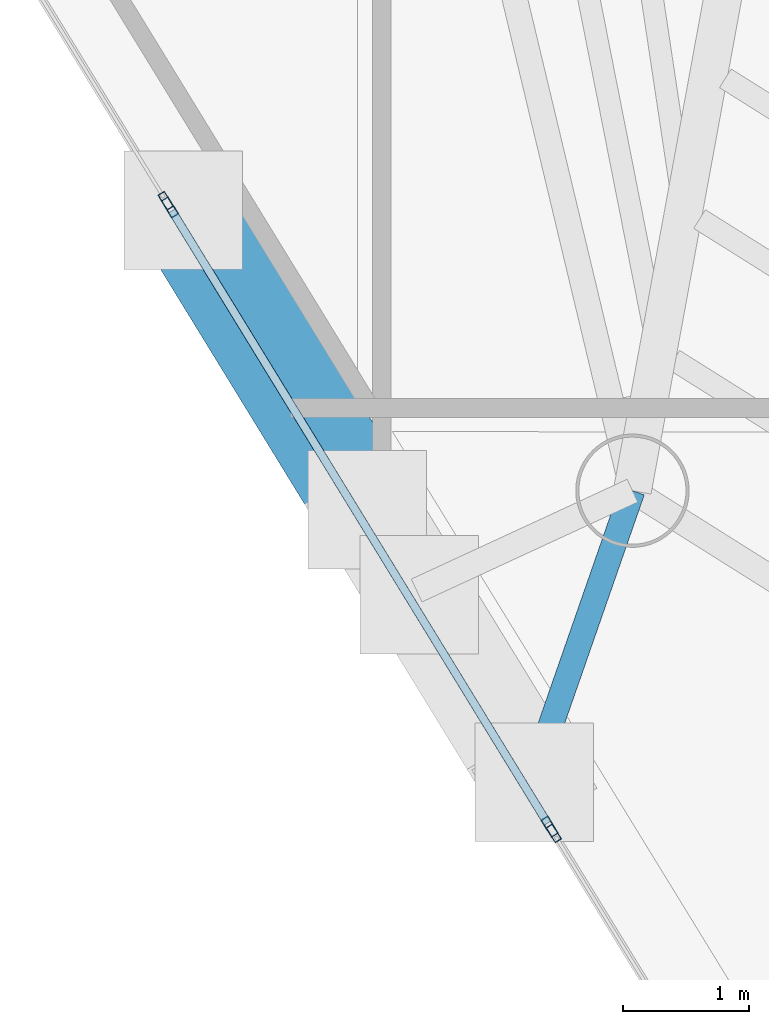
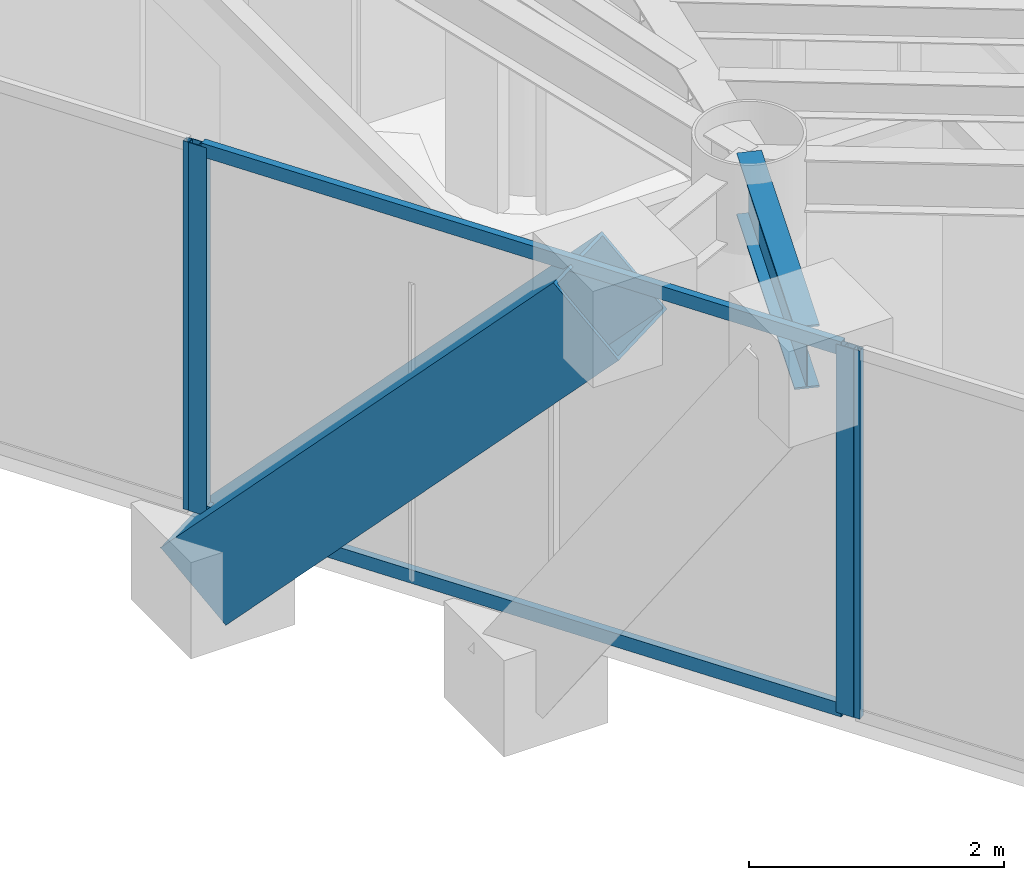
# One storey, part 3 of 23: 7 members, 1 beam, 3 elements without a shape of their own.
"""IFC4 building model written with IfcOpenShell, lengths in metres."""

import ifcopenshell
import ifcopenshell.guid

model = None  # the IFC model being written
_history = None  # IfcOwnerHistory: only IFC2X3 demands one
_inside = {}  # id of a spatial element -> (the spatial element, [elements in it])
_under = {}  # id of a project, library or spatial element -> (it, [spatial elements below it])
_declared = {}  # id of a project -> (the project, [libraries it declares])
_typed = {}  # id of a type object -> (the type object, [elements of that type])
_made_of = {}  # id of a material, layer set ... -> (it, [elements and type objects made of it])


def new_model(schema):
    """Start an empty IFC model of exactly this schema.

    Asked for "IFC4X3", IfcOpenShell would pick the latest addendum, in which some entities
    have other attributes; the version numbers below select the first issue.
    IFC2X3 requires an IfcOwnerHistory on every rooted entity: one is made here for all.
    """
    global model, _history
    if schema == "IFC4X3":
        model = ifcopenshell.file(schema_version=(4, 3, 0, 0))
    else:
        model = ifcopenshell.file(schema=schema)
    _inside.clear()
    _under.clear()
    _declared.clear()
    _typed.clear()
    _made_of.clear()
    _history = None
    if model.schema == "IFC2X3":
        org = make("IfcOrganization", Name="unknown")
        user = make(
            "IfcPersonAndOrganization",
            ThePerson=make("IfcPerson", FamilyName="unknown"),
            TheOrganization=org,
        )
        app = make(
            "IfcApplication",
            ApplicationDeveloper=org,
            Version="unknown",
            ApplicationFullName="unknown",
            ApplicationIdentifier="unknown",
        )
        _history = make(
            "IfcOwnerHistory",
            OwningUser=user,
            OwningApplication=app,
            ChangeAction="ADDED",
            CreationDate=0,
        )
    return model


def make(cls, **values):
    """One entity of the class cls with the attributes given. An attribute that is None is left unset."""
    return model.create_entity(
        cls, **{name: value for name, value in values.items() if value is not None}
    )


def rooted(cls, **values):
    """An entity with a GlobalId (a new one), such as an element, a storey or a relation."""
    return make(cls, GlobalId=ifcopenshell.guid.new(), OwnerHistory=_history, **values)


def si_unit(unit_type, name, prefix=None):
    """IfcSIUnit, for example si_unit("LENGTHUNIT", "METRE", prefix="MILLI")."""
    return make("IfcSIUnit", UnitType=unit_type, Prefix=prefix, Name=name)


def assignment(units):
    """IfcUnitAssignment: the units of a project."""
    return None if units is None else make("IfcUnitAssignment", Units=units)


def point(xyz):
    """IfcCartesianPoint."""
    return None if xyz is None else make("IfcCartesianPoint", Coordinates=xyz)


def direction(xyz):
    """IfcDirection."""
    return None if xyz is None else make("IfcDirection", DirectionRatios=xyz)


def frame(location, z_axis=None, x_axis=None):
    """IfcAxis2Placement3D, a coordinate frame: its origin and axes. An axis left out is left unset."""
    return make(
        "IfcAxis2Placement3D",
        Location=point(location),
        Axis=direction(z_axis),
        RefDirection=direction(x_axis),
    )


def frame_2d(location, x_axis=None):
    """IfcAxis2Placement2D, a coordinate frame in the plane: its origin and x axis."""
    return make(
        "IfcAxis2Placement2D", Location=point(location), RefDirection=direction(x_axis)
    )


def origin():
    """The frame at (0, 0, 0) with its axes left unset."""
    return frame((0.0, 0.0, 0.0))


def origin_2d():
    """The frame at (0, 0) in the plane with its x axis left unset."""
    return frame_2d((0.0, 0.0))


def place(relative_to, where):
    """IfcLocalPlacement: puts the frame where relative to a parent placement (None: the world)."""
    return make(
        "IfcLocalPlacement", PlacementRelTo=relative_to, RelativePlacement=where
    )


def context(
    kind, dimensions, precision=None, world=None, true_north=None, identifier=None
):
    """IfcGeometricRepresentationContext, for example the 3D "Model" context."""
    return make(
        "IfcGeometricRepresentationContext",
        ContextIdentifier=identifier,
        ContextType=kind,
        CoordinateSpaceDimension=dimensions,
        Precision=precision,
        WorldCoordinateSystem=world,
        TrueNorth=true_north,
    )


def subcontext(parent, identifier, kind, view, scale=None):
    """IfcGeometricRepresentationSubContext, for example "Body" below "Model"."""
    return make(
        "IfcGeometricRepresentationSubContext",
        ContextIdentifier=identifier,
        ContextType=kind,
        ParentContext=parent,
        TargetScale=scale,
        TargetView=view,
    )


def project(units=None, contexts=None):
    """IfcProject with its units and contexts."""
    return rooted(
        "IfcProject",
        Name="project",
        RepresentationContexts=contexts,
        UnitsInContext=assignment(units),
    )


def spatial(cls, under=None, at=None, **own):
    """A site, building, storey or space (cls), placed at a placement, below another one or the project."""
    s = rooted(cls, ObjectPlacement=at, **own)
    if under is not None:
        _under.setdefault(under.id(), (under, []))[1].append(s)
    return s


def profile(cls, at=None, kind="AREA", **sizes):
    """A parametric profile (cls). Its sizes go by their IFC names, for example OverallWidth=200.0."""
    return make(cls, ProfileType=kind, Position=at, **sizes)


def hollow_rectangle(**sizes):
    """IfcRectangleHollowProfileDef."""
    return profile("IfcRectangleHollowProfileDef", **sizes)


def i_section(**sizes):
    """IfcIShapeProfileDef."""
    return profile("IfcIShapeProfileDef", **sizes)


def extrude(swept, where, along, depth):
    """IfcExtrudedAreaSolid: the profile swept, set in the frame where, extruded along a direction by depth."""
    return make(
        "IfcExtrudedAreaSolid",
        SweptArea=swept,
        Position=where,
        ExtrudedDirection=direction(along),
        Depth=depth,
    )


def shape(context_of_items, identifier, shape_type, items):
    """IfcShapeRepresentation: the items that make up one representation, for example the "Body"."""
    return make(
        "IfcShapeRepresentation",
        ContextOfItems=context_of_items,
        RepresentationIdentifier=identifier,
        RepresentationType=shape_type,
        Items=items,
    )


def material(Name=None, Category=None):
    """IfcMaterial."""
    return make("IfcMaterial", Name=Name, Category=Category)


def layer(
    of_material, thickness, ventilated=None, Name=None, Category=None, Priority=None
):
    """IfcMaterialLayer: one layer of a wall or slab, of a material (None: an air gap)."""
    return make(
        "IfcMaterialLayer",
        Material=of_material,
        LayerThickness=thickness,
        IsVentilated=ventilated,
        Name=Name,
        Category=Category,
        Priority=Priority,
    )


def layer_set(layers, Name=None):
    """IfcMaterialLayerSet."""
    return make("IfcMaterialLayerSet", MaterialLayers=layers, LayerSetName=Name)


def material_profile(
    of_material, cross_section, Name=None, Category=None, Priority=None
):
    """IfcMaterialProfile: a cross section and its material."""
    return make(
        "IfcMaterialProfile",
        Name=Name,
        Material=of_material,
        Profile=cross_section,
        Priority=Priority,
        Category=Category,
    )


def profile_set(profiles, Name=None, composite=None):
    """IfcMaterialProfileSet."""
    return make(
        "IfcMaterialProfileSet",
        Name=Name,
        MaterialProfiles=profiles,
        CompositeProfile=composite,
    )


def made_of(thing, what):
    """Note that an element or type object is made of a material, layer set ...; save() writes the relation."""
    if what is not None:
        _made_of.setdefault(what.id(), (what, []))[1].append(thing)
    return thing


def type_object(cls, material=None, **own):
    """A type object (cls), such as IfcWallType, which elements share."""
    return made_of(rooted(cls, **own), material)


def element(
    cls,
    number,
    at=None,
    inside=None,
    cuts=None,
    type_object=None,
    material=None,
    context=None,
    identifier="Body",
    shape_type=None,
    held_by="IfcProductDefinitionShape",
    body=None,
    shapes=None,
    **own,
):
    """One element of the class cls, such as IfcWall. Its Tag is "e" and its number.

    at: its placement. inside: the storey or other place that contains it. cuts: it is an
    opening in that element (IfcRelVoidsElement). A single representation is given by context,
    identifier, shape_type and body (its items); several are given by shapes. held_by: the class
    of the entity that holds the representations. save() writes the other relations.
    """
    e = rooted(cls, Tag="e%d" % number, ObjectPlacement=at, **own)
    if body is not None:
        shapes = [shape(context, identifier, shape_type, body)]
    if shapes is not None:
        e.Representation = make(held_by, Representations=shapes)
    if inside is not None:
        _inside.setdefault(inside.id(), (inside, []))[1].append(e)
    if cuts is not None:
        rooted(
            "IfcRelVoidsElement", RelatingBuildingElement=cuts, RelatedOpeningElement=e
        )
    if type_object is not None:
        _typed.setdefault(type_object.id(), (type_object, []))[1].append(e)
    return made_of(e, material)


def aggregate(whole, parts):
    """IfcRelAggregates: a whole, such as a stair, and the parts it consists of."""
    return rooted("IfcRelAggregates", RelatingObject=whole, RelatedObjects=parts)


def save(model, path):
    """Write the relations noted so far, then the file.

    IfcRelAggregates (storeys below a building ...), IfcRelContainedInSpatialStructure (elements
    in a storey), IfcRelDefinesByType, IfcRelAssociatesMaterial and IfcRelDeclares: one each for
    every whole, place, type object, material and project.
    """
    for whole, parts in _under.values():
        aggregate(whole, parts)
    for where, things in _inside.values():
        rooted(
            "IfcRelContainedInSpatialStructure",
            RelatedElements=things,
            RelatingStructure=where,
        )
    for kind, things in _typed.values():
        rooted("IfcRelDefinesByType", RelatedObjects=things, RelatingType=kind)
    for what, things in _made_of.values():
        rooted("IfcRelAssociatesMaterial", RelatedObjects=things, RelatingMaterial=what)
    for by, libraries in _declared.values():
        rooted("IfcRelDeclares", RelatingContext=by, RelatedDefinitions=libraries)
    model.write(path)


model = new_model("IFC4")

# Units and contexts
model_context = context("Model", 3, precision=1e-05, world=origin(), true_north=direction((0.0, 1.0)))
body_context = subcontext(model_context, "Body", "Model", "MODEL_VIEW")
ifc_project = project(units=[si_unit("LENGTHUNIT", "METRE"), si_unit("AREAUNIT", "SQUARE_METRE"), si_unit("VOLUMEUNIT", "CUBIC_METRE"), si_unit("PLANEANGLEUNIT", "RADIAN"), si_unit("MASSUNIT", "GRAM", prefix="KILO")], contexts=[model_context])

# Site, building, storey
site_placement = place(None, origin())
site = spatial("IfcSite", under=ifc_project, at=site_placement, CompositionType="ELEMENT")
building_placement = place(site_placement, origin())
building = spatial("IfcBuilding", under=site, at=building_placement, Name="Qianvela Tower", CompositionType="ELEMENT")
storey_placement = place(building_placement, frame((0.0, 0.0, 284.300048828125)))
storey = spatial("IfcBuildingStorey", under=building, at=storey_placement, Name="L73", CompositionType="ELEMENT", Elevation=284.300048828125)

# Beam
ifc_material_1 = material(Name="Steel Q355B", Category="steel")
ifc_material_profile_1 = material_profile(ifc_material_1, i_section(OverallWidth=0.199951171875, OverallDepth=0.60009765625, WebThickness=0.010986328125, FlangeThickness=0.01708984375, at=origin_2d()), Name="HN600x200x11x17")
ifc_profile_set_1 = profile_set([ifc_material_profile_1], Name="Steel Q355B")
beam_type = type_object("IfcBeamType", Name="BM-HN600-GIRD", PredefinedType="BEAM", material=ifc_profile_set_1)
beam_placement = place(storey_placement, frame((27.669921875, 18.77392578125, 3.218017578125), z_axis=(-0.328966496784, -0.944341592854, 0.0), x_axis=(0.944341592854, -0.328966496784, 0.0)))
element("IfcBeam", 1, at=beam_placement, inside=storey, type_object=beam_type, Name="L73 Mega-Brace Column Tie Bracket F2-2", PredefinedType="BEAM", context=body_context, shape_type="SweptSolid", body=[
    extrude(i_section(OverallWidth=0.199951171875, OverallDepth=0.60009765625, WebThickness=0.010986328125, FlangeThickness=0.01708984375, at=origin_2d()), origin(), (0.0, 0.0, 1.0), 2.4208984375),
])

# Curtain wall, members
ifc_material_2 = material(Name="Anodised Architectural Aluminium and Insulated Spandrel Panel", Category="aluminium")
ifc_layer_1 = layer(ifc_material_2, 0.179931640625)
ifc_layer_set_1 = layer_set([ifc_layer_1], Name="Anodised Architectural Aluminium and Insulated Spandrel Panel")
curtain_wall_type_1 = type_object("IfcCurtainWallType", Name="CW-BRACEBAY", PredefinedType="USERDEFINED", material=ifc_layer_set_1)
curtain_wall_1_placement = place(storey_placement, origin())
curtain_wall_1 = element("IfcCurtainWall", 2, at=curtain_wall_1_placement, inside=storey, type_object=curtain_wall_type_1, Name="L73 CW-BRACEBAY Curtain Wall 04B", ObjectType="CURTAIN_WALL_SYSTEM", PredefinedType="USERDEFINED")
ifc_material_3 = material(Name="Anodised Architectural Aluminium 6063-T6", Category="aluminium")
ifc_material_profile_2 = material_profile(ifc_material_3, hollow_rectangle(XDim=0.06494140625, YDim=0.159912109375, WallThickness=0.0048828125, at=origin_2d()), Name="ALU-MULL-65x160")
ifc_profile_set_2 = profile_set([ifc_material_profile_2], Name="Anodised Architectural Aluminium 6063-T6")
member_type_1 = type_object("IfcMemberType", Name="CW-BRACEBAY-MULL", PredefinedType="MULLION", material=ifc_profile_set_2)
member_1_placement = place(storey_placement, frame((23.9990234375, 21.022216796875, 0.0), z_axis=(0.0, 0.0, 1.0), x_axis=(0.852461199425, 0.522790496733, 0.0)))
member_1 = element("IfcMember", 3, at=member_1_placement, type_object=member_type_1, Name="CW-9 mullion 1", PredefinedType="MULLION", context=body_context, shape_type="SweptSolid", body=[
    extrude(hollow_rectangle(XDim=0.06494140625, YDim=0.159912109375, WallThickness=0.0048828125, at=origin_2d()), origin(), (0.0, 0.0, 1.0), 3.52001953125),
])
member_2_placement = place(storey_placement, frame((27.012939453125, 16.107666015625, 0.0), z_axis=(0.0, 0.0, 1.0), x_axis=(0.852461199425, 0.522790496733, 0.0)))
member_2 = element("IfcMember", 4, at=member_2_placement, type_object=member_type_1, Name="CW-9 mullion 2", PredefinedType="MULLION", context=body_context, shape_type="SweptSolid", body=[
    extrude(hollow_rectangle(XDim=0.06494140625, YDim=0.159912109375, WallThickness=0.0048828125, at=origin_2d()), origin(), (0.0, 0.0, 1.0), 3.52001953125),
])
ifc_material_4 = material(Name="Anodised Architectural Aluminium 6063-T6", Category="aluminium")
ifc_material_profile_3 = material_profile(ifc_material_4, hollow_rectangle(XDim=0.06494140625, YDim=0.1298828125, WallThickness=0.00439453125, at=origin_2d()), Name="ALU-TRAN-65x130")
ifc_profile_set_3 = profile_set([ifc_material_profile_3], Name="Anodised Architectural Aluminium 6063-T6")
member_type_2 = type_object("IfcMemberType", Name="CW-BRACEBAY-TRAN", PredefinedType="USERDEFINED", material=ifc_profile_set_3)
member_3_placement = place(storey_placement, frame((24.015869140625, 20.994384765625, 0.032470703125), z_axis=(0.522792035464, -0.852460255763, 0.0), x_axis=(0.852460255763, 0.522792035464, 0.0)))
member_3 = element("IfcMember", 5, at=member_3_placement, type_object=member_type_2, Name="CW-9 transom 1.1", ObjectType="TRANSOM", PredefinedType="USERDEFINED", context=body_context, shape_type="SweptSolid", body=[
    extrude(hollow_rectangle(XDim=0.06494140625, YDim=0.1298828125, WallThickness=0.00439453125, at=origin_2d()), origin(), (0.0, 0.0, 1.0), 5.7001953125),
])
member_4_placement = place(storey_placement, frame((24.015869140625, 20.994384765625, 3.487548828125), z_axis=(0.522792035464, -0.852460255763, 0.0), x_axis=(0.852460255763, 0.522792035464, 0.0)))
member_4 = element("IfcMember", 6, at=member_4_placement, type_object=member_type_2, Name="CW-9 transom 1.2", ObjectType="TRANSOM", PredefinedType="USERDEFINED", context=body_context, shape_type="SweptSolid", body=[
    extrude(hollow_rectangle(XDim=0.06494140625, YDim=0.1298828125, WallThickness=0.00439453125, at=origin_2d()), origin(), (0.0, 0.0, 1.0), 5.7001953125),
])
aggregate(curtain_wall_1, [member_1, member_2, member_3, member_4])

# Curtain wall, member
ifc_material_5 = material(Name="Anodised Architectural Aluminium and Low-E Glass", Category="aluminium")
ifc_layer_2 = layer(ifc_material_5, 0.14990234375)
ifc_layer_set_2 = layer_set([ifc_layer_2], Name="Anodised Architectural Aluminium and Low-E Glass")
curtain_wall_type_2 = type_object("IfcCurtainWallType", Name="CW-COLIV-Z78", PredefinedType="USERDEFINED", material=ifc_layer_set_2)
curtain_wall_2_placement = place(storey_placement, origin())
curtain_wall_2 = element("IfcCurtainWall", 7, at=curtain_wall_2_placement, inside=storey, type_object=curtain_wall_type_2, Name="L73 CW-COLIV-Z78 Curtain Wall 04A", ObjectType="CURTAIN_WALL_SYSTEM", PredefinedType="USERDEFINED")
ifc_material_6 = material(Name="Anodised Architectural Aluminium 6063-T6", Category="aluminium")
ifc_material_profile_4 = material_profile(ifc_material_6, hollow_rectangle(XDim=0.06005859375, YDim=0.139892578125, WallThickness=0.00439453125, at=origin_2d()), Name="ALU-MULL-60x140")
ifc_profile_set_4 = profile_set([ifc_material_profile_4], Name="Anodised Architectural Aluminium 6063-T6")
member_type_3 = type_object("IfcMemberType", Name="CW-COLIV-Z78-MULL", PredefinedType="MULLION", material=ifc_profile_set_4)
member_5_placement = place(storey_placement, frame((23.96630859375, 21.075439453125, 0.0), z_axis=(0.0, 0.0, 1.0), x_axis=(0.852456572072, 0.522798042011, 0.0)))
member_5 = element("IfcMember", 8, at=member_5_placement, type_object=member_type_3, Name="CW-6 mullion 2", PredefinedType="MULLION", context=body_context, shape_type="SweptSolid", body=[
    extrude(hollow_rectangle(XDim=0.06005859375, YDim=0.139892578125, WallThickness=0.00439453125, at=origin_2d()), origin(), (0.0, 0.0, 1.0), 3.52001953125),
])
aggregate(curtain_wall_2, [member_5])

curtain_wall_3_placement = place(storey_placement, origin())
curtain_wall_3 = element("IfcCurtainWall", 9, at=curtain_wall_3_placement, inside=storey, type_object=curtain_wall_type_2, Name="L73 CW-COLIV-Z78 Curtain Wall 04C", ObjectType="CURTAIN_WALL_SYSTEM", PredefinedType="USERDEFINED")
member_6_placement = place(storey_placement, frame((27.045654296875, 16.054443359375, 0.0), z_axis=(0.0, 0.0, 1.0), x_axis=(0.852457694782, 0.522796211355, 0.0)))
member_6 = element("IfcMember", 10, at=member_6_placement, type_object=member_type_3, Name="CW-6 mullion 1", PredefinedType="MULLION", context=body_context, shape_type="SweptSolid", body=[
    extrude(hollow_rectangle(XDim=0.06005859375, YDim=0.139892578125, WallThickness=0.00439453125, at=origin_2d()), origin(), (0.0, 0.0, 1.0), 3.52001953125),
])
aggregate(curtain_wall_3, [member_6])

# Member
ifc_material_7 = material(Name="Steel Q420GJC", Category="steel")
ifc_material_profile_5 = material_profile(ifc_material_7, hollow_rectangle(XDim=0.800048828125, YDim=0.800048828125, WallThickness=0.028076171875, at=origin_2d()), Name="MBOX-800x800x28")
ifc_profile_set_5 = profile_set([ifc_material_profile_5], Name="Steel Q420GJC")
member_type_4 = type_object("IfcMemberType", Name="MBR-MBRACE-800", PredefinedType="BRACE", material=ifc_profile_set_5)
member_7_placement = place(storey_placement, frame((24.12841796875, 20.964111328125, -0.48193359375), z_axis=(0.359199560485, -0.585688979029, 0.72659761601), x_axis=(0.852452786825, 0.522804214055, 0.0)))
element("IfcMember", 11, at=member_7_placement, inside=storey, type_object=member_type_4, Name="L73 Tier 12 Exterior Mega-Brace F2A", PredefinedType="BRACE", context=body_context, shape_type="SweptSolid", body=[
    extrude(hollow_rectangle(XDim=0.800048828125, YDim=0.800048828125, WallThickness=0.028076171875, at=origin_2d()), origin(), (0.0, 0.0, 1.0), 5.092041015625),
])

save(model, "model.ifc")
